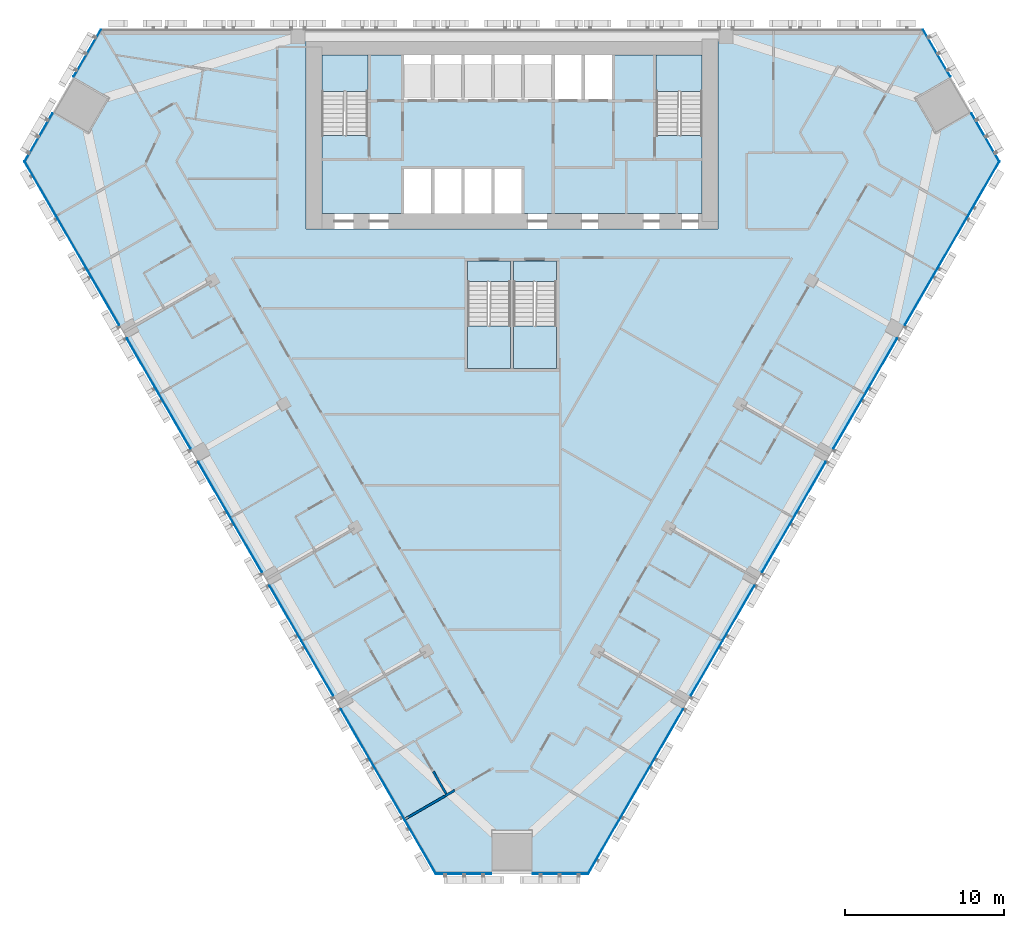
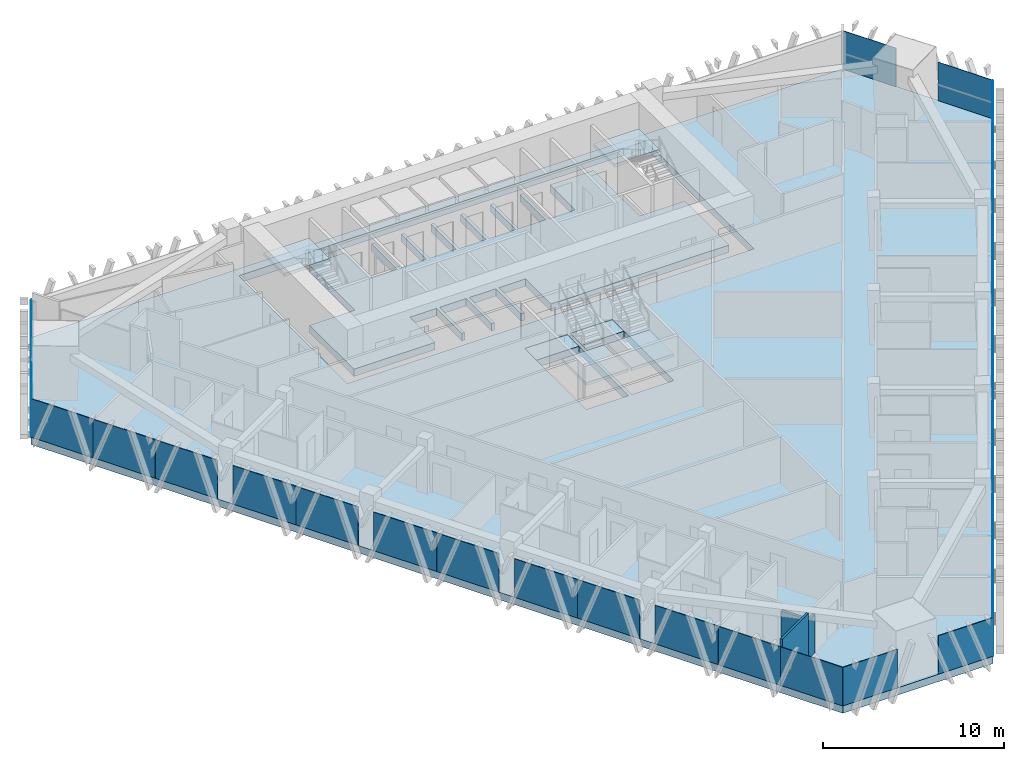
# One storey, part 9 of 18: 30 plates, 8 slabs, 3 walls, 9 elements without a shape of their own.
"""IFC4 building model written with IfcOpenShell, lengths in metres."""

from ifc_helpers import new_model, si_unit, direction, frame, frame_2d, origin, origin_2d, place, context, subcontext, project, spatial, polyline, rectangle, outline, extrude, material, layer, layer_set, type_object, element, aggregate, save


model = new_model("IFC4")

# Units and contexts
model_context = context("Model", 3, precision=1e-05, world=origin(), true_north=direction((0.0, 1.0)))
body_context = subcontext(model_context, "Body", "Model", "MODEL_VIEW")
ifc_project = project(units=[si_unit("LENGTHUNIT", "METRE"), si_unit("AREAUNIT", "SQUARE_METRE"), si_unit("VOLUMEUNIT", "CUBIC_METRE"), si_unit("PLANEANGLEUNIT", "RADIAN"), si_unit("MASSUNIT", "GRAM", prefix="KILO")], contexts=[model_context])

# Site, building, storey
site_placement = place(None, origin())
site = spatial("IfcSite", under=ifc_project, at=site_placement, CompositionType="ELEMENT")
building_placement = place(site_placement, origin())
building = spatial("IfcBuilding", under=site, at=building_placement, Name="Altiplano Prism Tower", CompositionType="ELEMENT")
storey_placement = place(building_placement, frame((0.0, 0.0, 45.0)))
storey = spatial("IfcBuildingStorey", under=building, at=storey_placement, Name="L10", CompositionType="ELEMENT", Elevation=45.0)

# Curtain wall, plates
ifc_material_1 = material(Name="Aluminium and glass", Category="aluminium")
ifc_layer_1 = layer(ifc_material_1, 0.280029296875)
ifc_layer_set_1 = layer_set([ifc_layer_1], Name="Aluminium and glass")
curtain_wall_type = type_object("IfcCurtainWallType", Name="CW1 typical co-living unitised curtain wall", PredefinedType="NOTDEFINED", material=ifc_layer_set_1)
curtain_wall_1_placement = place(storey_placement, origin())
curtain_wall_1 = element("IfcCurtainWall", 1, at=curtain_wall_1_placement, inside=storey, type_object=curtain_wall_type, Name="CW1 curtain wall north-west chamfer L10", PredefinedType="NOTDEFINED")
ifc_material_2 = material(Name="Clear glass", Category="glass")
ifc_layer_2 = layer(ifc_material_2, 0.0400390625)
ifc_layer_set_2 = layer_set([ifc_layer_2], Name="Clear glass")
plate_type = type_object("IfcPlateType", Name="CW1 insulated glass unit 40", PredefinedType="CURTAIN_PANEL", material=ifc_layer_set_2)
plate_1_placement = place(storey_placement, frame((58.202392578125, 103.505859375, 0.0), z_axis=(0.0, 0.0, 1.0), x_axis=(-0.500000007255, -0.866025399596, 0.0)))
plate_1 = element("IfcPlate", 2, at=plate_1_placement, type_object=plate_type, Name="CW1 panel", PredefinedType="CURTAIN_PANEL", context=body_context, shape_type="SweptSolid", body=[
    extrude(rectangle(XDim=3.417724609375, YDim=0.0400390625, at=origin_2d()), origin(), (0.0, 0.0, 1.0), 2.60009765625),
])
plate_2_placement = place(storey_placement, frame((55.128662109375, 98.181884765625, 0.0), z_axis=(0.0, 0.0, 1.0), x_axis=(-0.500000007255, -0.866025399596, 0.0)))
plate_2 = element("IfcPlate", 3, at=plate_2_placement, type_object=plate_type, Name="CW1 panel", PredefinedType="CURTAIN_PANEL", context=body_context, shape_type="SweptSolid", body=[
    extrude(rectangle(XDim=3.49755859375, YDim=0.0400390625, at=origin_2d()), origin(), (0.0, 0.0, 1.0), 2.60009765625),
])
aggregate(curtain_wall_1, [plate_1, plate_2])

curtain_wall_2_placement = place(storey_placement, origin())
curtain_wall_2 = element("IfcCurtainWall", 4, at=curtain_wall_2_placement, inside=storey, type_object=curtain_wall_type, Name="CW1 curtain wall south-west face L10", PredefinedType="NOTDEFINED")
plate_3_placement = place(storey_placement, frame((55.24658203125, 94.9599609375, 0.0), z_axis=(0.0, 0.0, 1.0), x_axis=(0.500000001965, -0.86602540265, 0.0)))
plate_3 = element("IfcPlate", 5, at=plate_3_placement, type_object=plate_type, Name="CW1 panel", PredefinedType="CURTAIN_PANEL", context=body_context, shape_type="SweptSolid", body=[
    extrude(rectangle(XDim=3.968994140625, YDim=0.0400390625, at=origin_2d()), origin(), (0.0, 0.0, 1.0), 2.60009765625),
])
plate_4_placement = place(storey_placement, frame((57.236083984375, 91.51416015625, 0.0), z_axis=(0.0, 0.0, 1.0), x_axis=(0.500000001965, -0.86602540265, 0.0)))
plate_4 = element("IfcPlate", 6, at=plate_4_placement, type_object=plate_type, Name="CW1 panel", PredefinedType="CURTAIN_PANEL", context=body_context, shape_type="SweptSolid", body=[
    extrude(rectangle(XDim=3.968994140625, YDim=0.0400390625, at=origin_2d()), origin(), (0.0, 0.0, 1.0), 2.60009765625),
])
plate_5_placement = place(storey_placement, frame((59.223388671875, 88.07177734375, 0.0), z_axis=(0.0, 0.0, 1.0), x_axis=(0.500000001965, -0.86602540265, 0.0)))
plate_5 = element("IfcPlate", 7, at=plate_5_placement, type_object=plate_type, Name="CW1 panel", PredefinedType="CURTAIN_PANEL", context=body_context, shape_type="SweptSolid", body=[
    extrude(rectangle(XDim=3.96044921875, YDim=0.0400390625, at=origin_2d()), origin(), (0.0, 0.0, 1.0), 2.60009765625),
])
plate_6_placement = place(storey_placement, frame((61.718505859375, 83.750244140625, 0.0), z_axis=(0.0, 0.0, 1.0), x_axis=(0.500000001965, -0.86602540265, 0.0)))
plate_6 = element("IfcPlate", 8, at=plate_6_placement, type_object=plate_type, Name="CW1 panel", PredefinedType="CURTAIN_PANEL", context=body_context, shape_type="SweptSolid", body=[
    extrude(rectangle(XDim=4.039306640625, YDim=0.0400390625, at=origin_2d()), origin(), (0.0, 0.0, 1.0), 2.60009765625),
])
plate_7_placement = place(storey_placement, frame((63.723388671875, 80.277587890625, 0.0), z_axis=(0.0, 0.0, 1.0), x_axis=(0.500000001965, -0.86602540265, 0.0)))
plate_7 = element("IfcPlate", 9, at=plate_7_placement, type_object=plate_type, Name="CW1 panel", PredefinedType="CURTAIN_PANEL", context=body_context, shape_type="SweptSolid", body=[
    extrude(rectangle(XDim=3.96044921875, YDim=0.0400390625, at=origin_2d()), origin(), (0.0, 0.0, 1.0), 2.60009765625),
])
plate_8_placement = place(storey_placement, frame((66.218505859375, 75.9560546875, 0.0), z_axis=(0.0, 0.0, 1.0), x_axis=(0.500000001965, -0.86602540265, 0.0)))
plate_8 = element("IfcPlate", 10, at=plate_8_placement, type_object=plate_type, Name="CW1 panel", PredefinedType="CURTAIN_PANEL", context=body_context, shape_type="SweptSolid", body=[
    extrude(rectangle(XDim=4.039306640625, YDim=0.0400390625, at=origin_2d()), origin(), (0.0, 0.0, 1.0), 2.60009765625),
])
plate_9_placement = place(storey_placement, frame((68.223388671875, 72.4833984375, 0.0), z_axis=(0.0, 0.0, 1.0), x_axis=(0.500000001965, -0.86602540265, 0.0)))
plate_9 = element("IfcPlate", 11, at=plate_9_placement, type_object=plate_type, Name="CW1 panel", PredefinedType="CURTAIN_PANEL", context=body_context, shape_type="SweptSolid", body=[
    extrude(rectangle(XDim=3.96044921875, YDim=0.0400390625, at=origin_2d()), origin(), (0.0, 0.0, 1.0), 2.60009765625),
])
plate_10_placement = place(storey_placement, frame((70.718505859375, 68.161865234375, 0.0), z_axis=(0.0, 0.0, 1.0), x_axis=(0.500000001965, -0.86602540265, 0.0)))
plate_10 = element("IfcPlate", 12, at=plate_10_placement, type_object=plate_type, Name="CW1 panel", PredefinedType="CURTAIN_PANEL", context=body_context, shape_type="SweptSolid", body=[
    extrude(rectangle(XDim=4.039306640625, YDim=0.0400390625, at=origin_2d()), origin(), (0.0, 0.0, 1.0), 2.60009765625),
])
plate_11_placement = place(storey_placement, frame((72.723388671875, 64.689208984375, 0.0), z_axis=(0.0, 0.0, 1.0), x_axis=(0.500000001965, -0.86602540265, 0.0)))
plate_11 = element("IfcPlate", 13, at=plate_11_placement, type_object=plate_type, Name="CW1 panel", PredefinedType="CURTAIN_PANEL", context=body_context, shape_type="SweptSolid", body=[
    extrude(rectangle(XDim=3.96044921875, YDim=0.0400390625, at=origin_2d()), origin(), (0.0, 0.0, 1.0), 2.60009765625),
])
plate_12_placement = place(storey_placement, frame((75.218505859375, 60.36767578125, 0.0), z_axis=(0.0, 0.0, 1.0), x_axis=(0.500000001965, -0.86602540265, 0.0)))
plate_12 = element("IfcPlate", 14, at=plate_12_placement, type_object=plate_type, Name="CW1 panel", PredefinedType="CURTAIN_PANEL", context=body_context, shape_type="SweptSolid", body=[
    extrude(rectangle(XDim=4.039306640625, YDim=0.0400390625, at=origin_2d()), origin(), (0.0, 0.0, 1.0), 2.60009765625),
])
plate_13_placement = place(storey_placement, frame((77.2255859375, 56.891357421875, 0.0), z_axis=(0.0, 0.0, 1.0), x_axis=(0.500000001965, -0.86602540265, 0.0)))
plate_13 = element("IfcPlate", 15, at=plate_13_placement, type_object=plate_type, Name="CW1 panel", PredefinedType="CURTAIN_PANEL", context=body_context, shape_type="SweptSolid", body=[
    extrude(rectangle(XDim=3.968994140625, YDim=0.0400390625, at=origin_2d()), origin(), (0.0, 0.0, 1.0), 2.60009765625),
])
plate_14_placement = place(storey_placement, frame((79.215087890625, 53.4453125, 0.0), z_axis=(0.0, 0.0, 1.0), x_axis=(0.500000001965, -0.86602540265, 0.0)))
plate_14 = element("IfcPlate", 16, at=plate_14_placement, type_object=plate_type, Name="CW1 panel", PredefinedType="CURTAIN_PANEL", context=body_context, shape_type="SweptSolid", body=[
    extrude(rectangle(XDim=3.968994140625, YDim=0.0400390625, at=origin_2d()), origin(), (0.0, 0.0, 1.0), 2.60009765625),
])
aggregate(curtain_wall_2, [plate_3, plate_4, plate_5, plate_6, plate_7, plate_8, plate_9, plate_10, plate_11, plate_12, plate_13, plate_14])

curtain_wall_3_placement = place(storey_placement, origin())
curtain_wall_3 = element("IfcCurtainWall", 17, at=curtain_wall_3_placement, inside=storey, type_object=curtain_wall_type, Name="CW1 curtain wall south chamfer L10", PredefinedType="NOTDEFINED")
plate_15_placement = place(storey_placement, frame((81.9462890625, 51.732421875, 0.0), z_axis=(0.0, 0.0, 1.0), x_axis=(1.0, 0.0, 0.0)))
plate_15 = element("IfcPlate", 18, at=plate_15_placement, type_object=plate_type, Name="CW1 panel", PredefinedType="CURTAIN_PANEL", context=body_context, shape_type="SweptSolid", body=[
    extrude(rectangle(XDim=3.49755859375, YDim=0.0400390625, at=origin_2d()), origin(), (0.0, 0.0, 1.0), 2.60009765625),
])
plate_16_placement = place(storey_placement, frame((88.0537109375, 51.732421875, 0.0), z_axis=(0.0, 0.0, 1.0), x_axis=(1.0, 0.0, 0.0)))
plate_16 = element("IfcPlate", 19, at=plate_16_placement, type_object=plate_type, Name="CW1 panel", PredefinedType="CURTAIN_PANEL", context=body_context, shape_type="SweptSolid", body=[
    extrude(rectangle(XDim=3.49755859375, YDim=0.0400390625, at=origin_2d()), origin(), (0.0, 0.0, 1.0), 2.60009765625),
])
aggregate(curtain_wall_3, [plate_15, plate_16])

curtain_wall_4_placement = place(storey_placement, origin())
curtain_wall_4 = element("IfcCurtainWall", 20, at=curtain_wall_4_placement, inside=storey, type_object=curtain_wall_type, Name="CW1 curtain wall south-east face L10", PredefinedType="NOTDEFINED")
plate_17_placement = place(storey_placement, frame((90.784912109375, 53.4453125, 0.0), z_axis=(0.0, 0.0, 1.0), x_axis=(0.500000001965, 0.86602540265, 0.0)))
plate_17 = element("IfcPlate", 21, at=plate_17_placement, type_object=plate_type, Name="CW1 panel", PredefinedType="CURTAIN_PANEL", context=body_context, shape_type="SweptSolid", body=[
    extrude(rectangle(XDim=3.968994140625, YDim=0.0400390625, at=origin_2d()), origin(), (0.0, 0.0, 1.0), 2.60009765625),
])
plate_18_placement = place(storey_placement, frame((92.7744140625, 56.891357421875, 0.0), z_axis=(0.0, 0.0, 1.0), x_axis=(0.500000001965, 0.86602540265, 0.0)))
plate_18 = element("IfcPlate", 22, at=plate_18_placement, type_object=plate_type, Name="CW1 panel", PredefinedType="CURTAIN_PANEL", context=body_context, shape_type="SweptSolid", body=[
    extrude(rectangle(XDim=3.968994140625, YDim=0.0400390625, at=origin_2d()), origin(), (0.0, 0.0, 1.0), 2.60009765625),
])
plate_19_placement = place(storey_placement, frame((94.781494140625, 60.36767578125, 0.0), z_axis=(0.0, 0.0, 1.0), x_axis=(0.500000001965, 0.86602540265, 0.0)))
plate_19 = element("IfcPlate", 23, at=plate_19_placement, type_object=plate_type, Name="CW1 panel", PredefinedType="CURTAIN_PANEL", context=body_context, shape_type="SweptSolid", body=[
    extrude(rectangle(XDim=4.039306640625, YDim=0.0400390625, at=origin_2d()), origin(), (0.0, 0.0, 1.0), 2.60009765625),
])
plate_20_placement = place(storey_placement, frame((97.276611328125, 64.689208984375, 0.0), z_axis=(0.0, 0.0, 1.0), x_axis=(0.500000001965, 0.86602540265, 0.0)))
plate_20 = element("IfcPlate", 24, at=plate_20_placement, type_object=plate_type, Name="CW1 panel", PredefinedType="CURTAIN_PANEL", context=body_context, shape_type="SweptSolid", body=[
    extrude(rectangle(XDim=3.96044921875, YDim=0.0400390625, at=origin_2d()), origin(), (0.0, 0.0, 1.0), 2.60009765625),
])
plate_21_placement = place(storey_placement, frame((99.281494140625, 68.161865234375, 0.0), z_axis=(0.0, 0.0, 1.0), x_axis=(0.500000001965, 0.86602540265, 0.0)))
plate_21 = element("IfcPlate", 25, at=plate_21_placement, type_object=plate_type, Name="CW1 panel", PredefinedType="CURTAIN_PANEL", context=body_context, shape_type="SweptSolid", body=[
    extrude(rectangle(XDim=4.039306640625, YDim=0.0400390625, at=origin_2d()), origin(), (0.0, 0.0, 1.0), 2.60009765625),
])
plate_22_placement = place(storey_placement, frame((101.776611328125, 72.4833984375, 0.0), z_axis=(0.0, 0.0, 1.0), x_axis=(0.500000001965, 0.86602540265, 0.0)))
plate_22 = element("IfcPlate", 26, at=plate_22_placement, type_object=plate_type, Name="CW1 panel", PredefinedType="CURTAIN_PANEL", context=body_context, shape_type="SweptSolid", body=[
    extrude(rectangle(XDim=3.96044921875, YDim=0.0400390625, at=origin_2d()), origin(), (0.0, 0.0, 1.0), 2.60009765625),
])
plate_23_placement = place(storey_placement, frame((103.781494140625, 75.9560546875, 0.0), z_axis=(0.0, 0.0, 1.0), x_axis=(0.500000001965, 0.86602540265, 0.0)))
plate_23 = element("IfcPlate", 27, at=plate_23_placement, type_object=plate_type, Name="CW1 panel", PredefinedType="CURTAIN_PANEL", context=body_context, shape_type="SweptSolid", body=[
    extrude(rectangle(XDim=4.039306640625, YDim=0.0400390625, at=origin_2d()), origin(), (0.0, 0.0, 1.0), 2.60009765625),
])
plate_24_placement = place(storey_placement, frame((106.276611328125, 80.277587890625, 0.0), z_axis=(0.0, 0.0, 1.0), x_axis=(0.500000001965, 0.86602540265, 0.0)))
plate_24 = element("IfcPlate", 28, at=plate_24_placement, type_object=plate_type, Name="CW1 panel", PredefinedType="CURTAIN_PANEL", context=body_context, shape_type="SweptSolid", body=[
    extrude(rectangle(XDim=3.96044921875, YDim=0.0400390625, at=origin_2d()), origin(), (0.0, 0.0, 1.0), 2.60009765625),
])
plate_25_placement = place(storey_placement, frame((108.281494140625, 83.750244140625, 0.0), z_axis=(0.0, 0.0, 1.0), x_axis=(0.500000001965, 0.86602540265, 0.0)))
plate_25 = element("IfcPlate", 29, at=plate_25_placement, type_object=plate_type, Name="CW1 panel", PredefinedType="CURTAIN_PANEL", context=body_context, shape_type="SweptSolid", body=[
    extrude(rectangle(XDim=4.039306640625, YDim=0.0400390625, at=origin_2d()), origin(), (0.0, 0.0, 1.0), 2.60009765625),
])
plate_26_placement = place(storey_placement, frame((110.776611328125, 88.07177734375, 0.0), z_axis=(0.0, 0.0, 1.0), x_axis=(0.500000001965, 0.86602540265, 0.0)))
plate_26 = element("IfcPlate", 30, at=plate_26_placement, type_object=plate_type, Name="CW1 panel", PredefinedType="CURTAIN_PANEL", context=body_context, shape_type="SweptSolid", body=[
    extrude(rectangle(XDim=3.96044921875, YDim=0.0400390625, at=origin_2d()), origin(), (0.0, 0.0, 1.0), 2.60009765625),
])
plate_27_placement = place(storey_placement, frame((112.763916015625, 91.51416015625, 0.0), z_axis=(0.0, 0.0, 1.0), x_axis=(0.500000001965, 0.86602540265, 0.0)))
plate_27 = element("IfcPlate", 31, at=plate_27_placement, type_object=plate_type, Name="CW1 panel", PredefinedType="CURTAIN_PANEL", context=body_context, shape_type="SweptSolid", body=[
    extrude(rectangle(XDim=3.968994140625, YDim=0.0400390625, at=origin_2d()), origin(), (0.0, 0.0, 1.0), 2.60009765625),
])
plate_28_placement = place(storey_placement, frame((114.75341796875, 94.9599609375, 0.0), z_axis=(0.0, 0.0, 1.0), x_axis=(0.500000001965, 0.86602540265, 0.0)))
plate_28 = element("IfcPlate", 32, at=plate_28_placement, type_object=plate_type, Name="CW1 panel", PredefinedType="CURTAIN_PANEL", context=body_context, shape_type="SweptSolid", body=[
    extrude(rectangle(XDim=3.968994140625, YDim=0.0400390625, at=origin_2d()), origin(), (0.0, 0.0, 1.0), 2.60009765625),
])
aggregate(curtain_wall_4, [plate_17, plate_18, plate_19, plate_20, plate_21, plate_22, plate_23, plate_24, plate_25, plate_26, plate_27, plate_28])

curtain_wall_5_placement = place(storey_placement, origin())
curtain_wall_5 = element("IfcCurtainWall", 33, at=curtain_wall_5_placement, inside=storey, type_object=curtain_wall_type, Name="CW1 curtain wall north-east chamfer L10", PredefinedType="NOTDEFINED")
plate_29_placement = place(storey_placement, frame((114.871337890625, 98.181884765625, 0.0), z_axis=(0.0, 0.0, 1.0), x_axis=(-0.500000007255, 0.866025399596, 0.0)))
plate_29 = element("IfcPlate", 34, at=plate_29_placement, type_object=plate_type, Name="CW1 panel", PredefinedType="CURTAIN_PANEL", context=body_context, shape_type="SweptSolid", body=[
    extrude(rectangle(XDim=3.49755859375, YDim=0.0400390625, at=origin_2d()), origin(), (0.0, 0.0, 1.0), 2.60009765625),
])
plate_30_placement = place(storey_placement, frame((111.797607421875, 103.505859375, 0.0), z_axis=(0.0, 0.0, 1.0), x_axis=(-0.500000007255, 0.866025399596, 0.0)))
plate_30 = element("IfcPlate", 35, at=plate_30_placement, type_object=plate_type, Name="CW1 panel", PredefinedType="CURTAIN_PANEL", context=body_context, shape_type="SweptSolid", body=[
    extrude(rectangle(XDim=3.417724609375, YDim=0.0400390625, at=origin_2d()), origin(), (0.0, 0.0, 1.0), 2.60009765625),
])
aggregate(curtain_wall_5, [plate_29, plate_30])

# Slabs
ifc_material_3 = material(Name="Concrete C40/50", Category="concrete")
ifc_layer_3 = layer(ifc_material_3, 0.5)
ifc_layer_set_3 = layer_set([ifc_layer_3], Name="Concrete C40/50")
slab_type_1 = type_object("IfcSlabType", Name="Core floor slab 500", PredefinedType="FLOOR", material=ifc_layer_set_3)
slab_1_placement = place(storey_placement, frame((0.0, 0.0, -0.5)))
element("IfcSlab", 36, at=slab_1_placement, inside=storey, type_object=slab_type_1, Name="Core floor slab L10", PredefinedType="FLOOR", context=body_context, shape_type="SweptSolid", body=[
    extrude(outline(polyline([(97.0, 98.31005859375), (94.10009765625, 98.31005859375), (94.10009765625, 103.39990234375), (91.300048828125, 103.39990234375), (91.300048828125, 100.60009765625), (89.60009765625, 100.60009765625), (89.60009765625, 103.39990234375), (89.39990234375, 103.39990234375), (89.39990234375, 100.60009765625), (87.699951171875, 100.60009765625), (87.699951171875, 103.39990234375), (87.5, 103.39990234375), (87.5, 100.60009765625), (85.800048828125, 100.60009765625), (85.800048828125, 103.39990234375), (85.60009765625, 103.39990234375), (85.60009765625, 100.60009765625), (83.89990234375, 100.60009765625), (83.89990234375, 103.39990234375), (83.699951171875, 103.39990234375), (83.699951171875, 100.60009765625), (82.0, 100.60009765625), (82.0, 103.39990234375), (81.800048828125, 103.39990234375), (81.800048828125, 100.60009765625), (80.10009765625, 100.60009765625), (80.10009765625, 103.39990234375), (79.89990234375, 103.39990234375), (79.89990234375, 100.60009765625), (78.199951171875, 100.60009765625), (78.199951171875, 103.39990234375), (75.89990234375, 103.39990234375), (75.89990234375, 98.31005859375), (73.0, 98.31005859375), (73.0, 93.39990234375), (78.199951171875, 93.39990234375), (78.199951171875, 96.199951171875), (79.89990234375, 96.199951171875), (79.89990234375, 93.39990234375), (80.10009765625, 93.39990234375), (80.10009765625, 96.199951171875), (81.800048828125, 96.199951171875), (81.800048828125, 93.39990234375), (82.0, 93.39990234375), (82.0, 96.199951171875), (83.699951171875, 96.199951171875), (83.699951171875, 93.39990234375), (83.89990234375, 93.39990234375), (83.89990234375, 96.199951171875), (85.60009765625, 96.199951171875), (85.60009765625, 93.39990234375), (97.0, 93.39990234375), (97.0, 98.31005859375)])), origin(), (0.0, 0.0, 1.0), 0.5),
])
slab_2_placement = place(storey_placement, frame((0.0, 0.0, -0.5)))
element("IfcSlab", 37, at=slab_2_placement, inside=storey, type_object=slab_type_1, Name="Stair 3A landing slab L10", PredefinedType="FLOOR", context=body_context, shape_type="SweptSolid", body=[
    extrude(outline(polyline([(82.199951171875, 89.096923828125), (84.89990234375, 89.096923828125), (84.89990234375, 90.39990234375), (82.199951171875, 90.39990234375), (82.199951171875, 89.096923828125)])), origin(), (0.0, 0.0, 1.0), 0.5),
])
slab_3_placement = place(storey_placement, frame((0.0, 0.0, -0.5)))
element("IfcSlab", 38, at=slab_3_placement, inside=storey, type_object=slab_type_1, Name="Stair 3B landing slab L10", PredefinedType="FLOOR", context=body_context, shape_type="SweptSolid", body=[
    extrude(outline(polyline([(85.10009765625, 89.096923828125), (87.800048828125, 89.096923828125), (87.800048828125, 90.39990234375), (85.10009765625, 90.39990234375), (85.10009765625, 89.096923828125)])), origin(), (0.0, 0.0, 1.0), 0.5),
])
ifc_layer_4 = layer(ifc_material_3, 0.5)
ifc_layer_set_4 = layer_set([ifc_layer_4], Name="Concrete C40/50")
slab_type_2 = type_object("IfcSlabType", Name="Post-tensioned flat slab 500", PredefinedType="FLOOR", material=ifc_layer_set_4)
slab_4_placement = place(storey_placement, frame((0.0, 0.0, -0.5)))
element("IfcSlab", 39, at=slab_4_placement, inside=storey, type_object=slab_type_2, Name="Floor slab L10", PredefinedType="FLOOR", context=body_context, shape_type="SweptSolid", body=[
    extrude(outline(polyline([(80.1923828125, 51.71240234375), (54.234375, 96.673095703125), (59.0419921875, 105.0), (110.9580078125, 105.0), (115.765625, 96.673095703125), (89.8076171875, 51.71240234375), (80.1923828125, 51.71240234375)]), holes=[polyline([(72.0, 104.39990234375), (72.0, 92.39990234375), (98.0, 92.39990234375), (98.0, 104.39990234375), (72.0, 104.39990234375)]), polyline([(84.89990234375, 90.39990234375), (82.199951171875, 90.39990234375), (82.199951171875, 83.60009765625), (84.89990234375, 83.60009765625), (84.89990234375, 90.39990234375)]), polyline([(87.800048828125, 83.60009765625), (87.800048828125, 90.39990234375), (85.10009765625, 90.39990234375), (85.10009765625, 83.60009765625), (87.800048828125, 83.60009765625)])]), origin(), (0.0, 0.0, 1.0), 0.5),
])

# Stair, slab
stair_type_1 = type_object("IfcStairType", Name="Exit stair 1400", PredefinedType="HALF_TURN_STAIR", material=ifc_material_3)
stair_1_placement = place(storey_placement, origin())
stair_1 = element("IfcStair", 40, at=stair_1_placement, inside=storey, type_object=stair_type_1, Name="L10 Exit Stair 1", PredefinedType="HALF_TURN_STAIR")
ifc_layer_5 = layer(ifc_material_3, 0.199951171875)
ifc_layer_set_5 = layer_set([ifc_layer_5], Name="Concrete C40/50")
slab_type_3 = type_object("IfcSlabType", Name="Stair landing 200", PredefinedType="LANDING", material=ifc_layer_set_5)
slab_5_placement = place(storey_placement, frame((0.0, 0.0, 1.60009765625)))
slab_5 = element("IfcSlab", 41, at=slab_5_placement, type_object=slab_type_3, Name="ST1 landing 1", PredefinedType="LANDING", context=body_context, shape_type="SweptSolid", body=[
    extrude(outline(polyline([(75.89990234375, 101.096923828125), (75.89990234375, 103.39990234375), (73.0, 103.39990234375), (73.0, 101.096923828125), (75.89990234375, 101.096923828125)])), origin(), (0.0, 0.0, 1.0), 0.199951171875),
])
aggregate(stair_1, [slab_5])

stair_2_placement = place(storey_placement, origin())
stair_2 = element("IfcStair", 42, at=stair_2_placement, inside=storey, type_object=stair_type_1, Name="L10 Exit Stair 2", PredefinedType="HALF_TURN_STAIR")
slab_6_placement = place(storey_placement, frame((0.0, 0.0, 1.60009765625)))
slab_6 = element("IfcSlab", 43, at=slab_6_placement, type_object=slab_type_3, Name="ST2 landing 1", PredefinedType="LANDING", context=body_context, shape_type="SweptSolid", body=[
    extrude(outline(polyline([(97.0, 101.096923828125), (97.0, 103.39990234375), (94.10009765625, 103.39990234375), (94.10009765625, 101.096923828125), (97.0, 101.096923828125)])), origin(), (0.0, 0.0, 1.0), 0.199951171875),
])
aggregate(stair_2, [slab_6])

stair_type_2 = type_object("IfcStairType", Name="Exit stair 1300", PredefinedType="HALF_TURN_STAIR", material=ifc_material_3)
stair_3_placement = place(storey_placement, origin())
stair_3 = element("IfcStair", 44, at=stair_3_placement, inside=storey, type_object=stair_type_2, Name="L10 Exit Stair 3A", PredefinedType="HALF_TURN_STAIR")
slab_7_placement = place(storey_placement, frame((0.0, 0.0, 1.60009765625)))
slab_7 = element("IfcSlab", 45, at=slab_7_placement, type_object=slab_type_3, Name="ST3A landing 1", PredefinedType="LANDING", context=body_context, shape_type="SweptSolid", body=[
    extrude(outline(polyline([(82.199951171875, 86.302978515625), (82.199951171875, 83.60009765625), (84.89990234375, 83.60009765625), (84.89990234375, 86.302978515625), (82.199951171875, 86.302978515625)])), origin(), (0.0, 0.0, 1.0), 0.199951171875),
])
aggregate(stair_3, [slab_7])

stair_4_placement = place(storey_placement, origin())
stair_4 = element("IfcStair", 46, at=stair_4_placement, inside=storey, type_object=stair_type_2, Name="L10 Exit Stair 3B", PredefinedType="HALF_TURN_STAIR")
slab_8_placement = place(storey_placement, frame((0.0, 0.0, 1.60009765625)))
slab_8 = element("IfcSlab", 47, at=slab_8_placement, type_object=slab_type_3, Name="ST3B landing 1", PredefinedType="LANDING", context=body_context, shape_type="SweptSolid", body=[
    extrude(outline(polyline([(85.10009765625, 86.302978515625), (85.10009765625, 83.60009765625), (87.800048828125, 83.60009765625), (87.800048828125, 86.302978515625), (85.10009765625, 86.302978515625)])), origin(), (0.0, 0.0, 1.0), 0.199951171875),
])
aggregate(stair_4, [slab_8])

# Walls
ifc_material_4 = material(Name="Plasterboard on steel stud", Category="steel")
ifc_layer_6 = layer(ifc_material_4, 0.14990234375)
ifc_layer_set_6 = layer_set([ifc_layer_6], Name="Plasterboard on steel stud")
wall_type = type_object("IfcWallType", Name="Partition 150 corridor", PredefinedType="PARTITIONING", material=ifc_layer_set_6)
wall_1_placement = place(storey_placement, frame((80.033203125, 58.18798828125, 0.0), z_axis=(0.0, 0.0, 1.0), x_axis=(0.500093320734, -0.865971518329, 0.0)))
element("IfcWall", 48, at=wall_1_placement, inside=storey, type_object=wall_type, Name="Partition P06 L10 012", PredefinedType="PARTITIONING", context=body_context, shape_type="SweptSolid", body=[
    extrude(rectangle(XDim=1.633544921875, YDim=0.14990234375, at=frame_2d((0.81689453125, 0.0))), origin(), (0.0, 0.0, 1.0), 2.60009765625),
])
wall_2_placement = place(storey_placement, frame((78.27197265625, 55.1982421875, 0.0), z_axis=(0.0, 0.0, 1.0), x_axis=(0.866021079084, 0.500007490527, 0.0)))
element("IfcWall", 49, at=wall_2_placement, inside=storey, type_object=wall_type, Name="Partition P06 L10 078", PredefinedType="PARTITIONING", context=body_context, shape_type="SweptSolid", body=[
    extrude(rectangle(XDim=2.8916015625, YDim=0.14990234375, at=frame_2d((1.44580078125, 0.0))), origin(), (0.0, 0.0, 1.0), 3.10009765625),
])
wall_3_placement = place(storey_placement, frame((80.776123046875, 56.64404296875, 0.0), z_axis=(0.0, 0.0, 1.0), x_axis=(0.86606341989, 0.499934148392, 0.0)))
element("IfcWall", 50, at=wall_3_placement, inside=storey, type_object=wall_type, Name="Partition P06 L10 079", PredefinedType="PARTITIONING", context=body_context, shape_type="SweptSolid", body=[
    extrude(rectangle(XDim=0.69873046875, YDim=0.14990234375, at=frame_2d((0.349365234375, 0.0))), origin(), (0.0, 0.0, 1.0), 2.60009765625),
])

save(model, "model.ifc")
